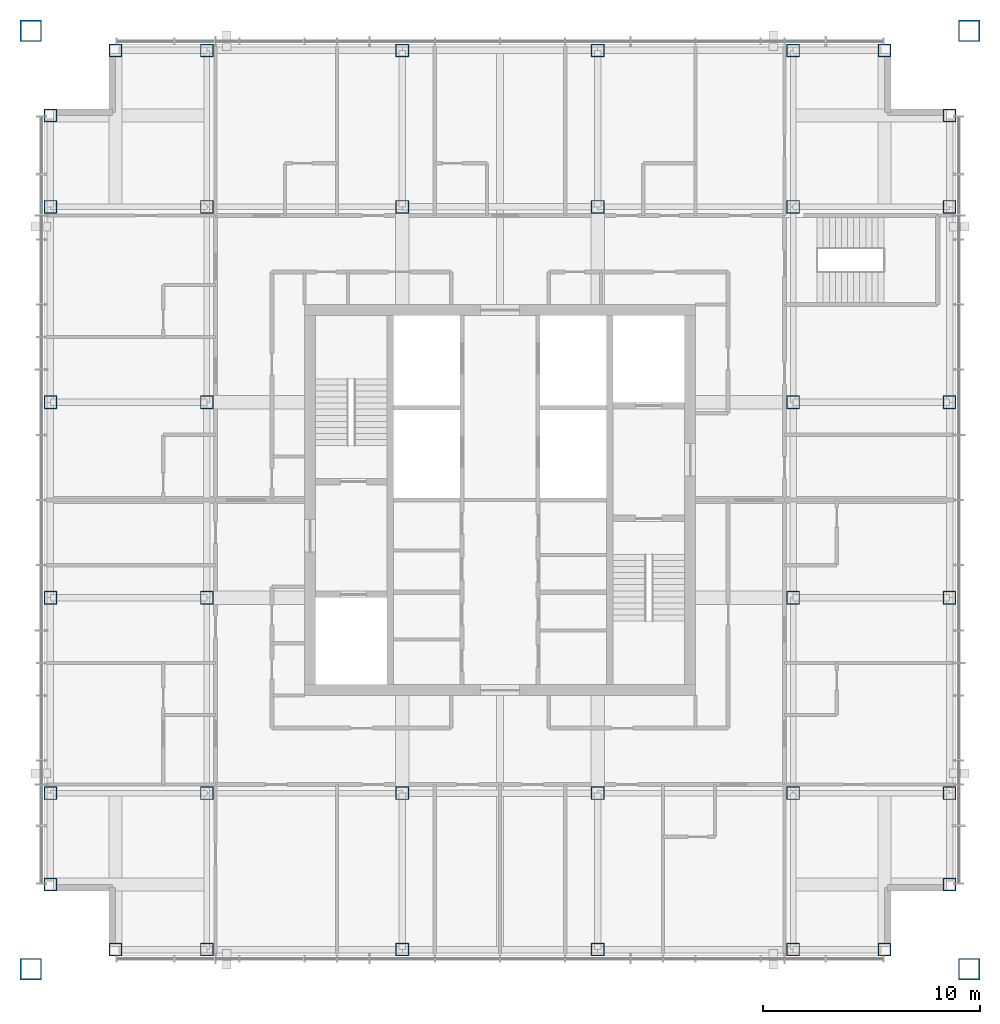
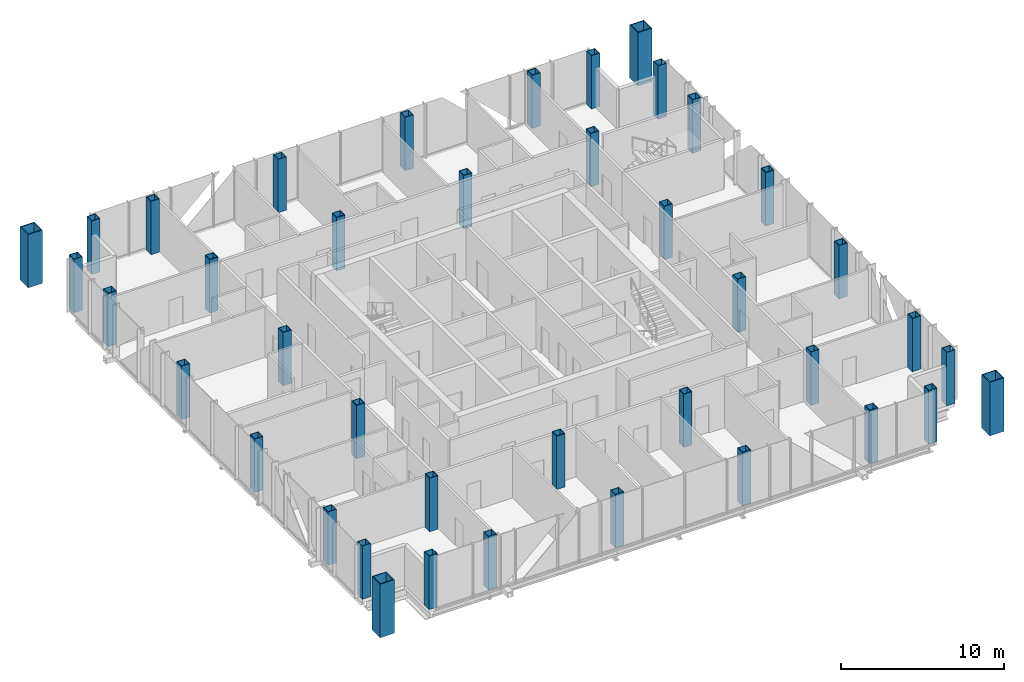
# One storey, part 1 of 14: 40 columns.
"""IFC4 building model written with IfcOpenShell, lengths in metres."""

import ifcopenshell
import ifcopenshell.guid

model = None  # the IFC model being written
_history = None  # IfcOwnerHistory: only IFC2X3 demands one
_inside = {}  # id of a spatial element -> (the spatial element, [elements in it])
_under = {}  # id of a project, library or spatial element -> (it, [spatial elements below it])
_declared = {}  # id of a project -> (the project, [libraries it declares])
_typed = {}  # id of a type object -> (the type object, [elements of that type])
_made_of = {}  # id of a material, layer set ... -> (it, [elements and type objects made of it])


def new_model(schema):
    """Start an empty IFC model of exactly this schema.

    Asked for "IFC4X3", IfcOpenShell would pick the latest addendum, in which some entities
    have other attributes; the version numbers below select the first issue.
    IFC2X3 requires an IfcOwnerHistory on every rooted entity: one is made here for all.
    """
    global model, _history
    if schema == "IFC4X3":
        model = ifcopenshell.file(schema_version=(4, 3, 0, 0))
    else:
        model = ifcopenshell.file(schema=schema)
    _inside.clear()
    _under.clear()
    _declared.clear()
    _typed.clear()
    _made_of.clear()
    _history = None
    if model.schema == "IFC2X3":
        org = make("IfcOrganization", Name="unknown")
        user = make(
            "IfcPersonAndOrganization",
            ThePerson=make("IfcPerson", FamilyName="unknown"),
            TheOrganization=org,
        )
        app = make(
            "IfcApplication",
            ApplicationDeveloper=org,
            Version="unknown",
            ApplicationFullName="unknown",
            ApplicationIdentifier="unknown",
        )
        _history = make(
            "IfcOwnerHistory",
            OwningUser=user,
            OwningApplication=app,
            ChangeAction="ADDED",
            CreationDate=0,
        )
    return model


def make(cls, **values):
    """One entity of the class cls with the attributes given. An attribute that is None is left unset."""
    return model.create_entity(
        cls, **{name: value for name, value in values.items() if value is not None}
    )


def rooted(cls, **values):
    """An entity with a GlobalId (a new one), such as an element, a storey or a relation."""
    return make(cls, GlobalId=ifcopenshell.guid.new(), OwnerHistory=_history, **values)


def si_unit(unit_type, name, prefix=None):
    """IfcSIUnit, for example si_unit("LENGTHUNIT", "METRE", prefix="MILLI")."""
    return make("IfcSIUnit", UnitType=unit_type, Prefix=prefix, Name=name)


def assignment(units):
    """IfcUnitAssignment: the units of a project."""
    return None if units is None else make("IfcUnitAssignment", Units=units)


def point(xyz):
    """IfcCartesianPoint."""
    return None if xyz is None else make("IfcCartesianPoint", Coordinates=xyz)


def direction(xyz):
    """IfcDirection."""
    return None if xyz is None else make("IfcDirection", DirectionRatios=xyz)


def frame(location, z_axis=None, x_axis=None):
    """IfcAxis2Placement3D, a coordinate frame: its origin and axes. An axis left out is left unset."""
    return make(
        "IfcAxis2Placement3D",
        Location=point(location),
        Axis=direction(z_axis),
        RefDirection=direction(x_axis),
    )


def frame_2d(location, x_axis=None):
    """IfcAxis2Placement2D, a coordinate frame in the plane: its origin and x axis."""
    return make(
        "IfcAxis2Placement2D", Location=point(location), RefDirection=direction(x_axis)
    )


def origin():
    """The frame at (0, 0, 0) with its axes left unset."""
    return frame((0.0, 0.0, 0.0))


def origin_2d():
    """The frame at (0, 0) in the plane with its x axis left unset."""
    return frame_2d((0.0, 0.0))


def place(relative_to, where):
    """IfcLocalPlacement: puts the frame where relative to a parent placement (None: the world)."""
    return make(
        "IfcLocalPlacement", PlacementRelTo=relative_to, RelativePlacement=where
    )


def context(
    kind, dimensions, precision=None, world=None, true_north=None, identifier=None
):
    """IfcGeometricRepresentationContext, for example the 3D "Model" context."""
    return make(
        "IfcGeometricRepresentationContext",
        ContextIdentifier=identifier,
        ContextType=kind,
        CoordinateSpaceDimension=dimensions,
        Precision=precision,
        WorldCoordinateSystem=world,
        TrueNorth=true_north,
    )


def subcontext(parent, identifier, kind, view, scale=None):
    """IfcGeometricRepresentationSubContext, for example "Body" below "Model"."""
    return make(
        "IfcGeometricRepresentationSubContext",
        ContextIdentifier=identifier,
        ContextType=kind,
        ParentContext=parent,
        TargetScale=scale,
        TargetView=view,
    )


def project(units=None, contexts=None):
    """IfcProject with its units and contexts."""
    return rooted(
        "IfcProject",
        Name="project",
        RepresentationContexts=contexts,
        UnitsInContext=assignment(units),
    )


def spatial(cls, under=None, at=None, **own):
    """A site, building, storey or space (cls), placed at a placement, below another one or the project."""
    s = rooted(cls, ObjectPlacement=at, **own)
    if under is not None:
        _under.setdefault(under.id(), (under, []))[1].append(s)
    return s


def profile(cls, at=None, kind="AREA", **sizes):
    """A parametric profile (cls). Its sizes go by their IFC names, for example OverallWidth=200.0."""
    return make(cls, ProfileType=kind, Position=at, **sizes)


def hollow_rectangle(**sizes):
    """IfcRectangleHollowProfileDef."""
    return profile("IfcRectangleHollowProfileDef", **sizes)


def extrude(swept, where, along, depth):
    """IfcExtrudedAreaSolid: the profile swept, set in the frame where, extruded along a direction by depth."""
    return make(
        "IfcExtrudedAreaSolid",
        SweptArea=swept,
        Position=where,
        ExtrudedDirection=direction(along),
        Depth=depth,
    )


def shape(context_of_items, identifier, shape_type, items):
    """IfcShapeRepresentation: the items that make up one representation, for example the "Body"."""
    return make(
        "IfcShapeRepresentation",
        ContextOfItems=context_of_items,
        RepresentationIdentifier=identifier,
        RepresentationType=shape_type,
        Items=items,
    )


def material(Name=None, Category=None):
    """IfcMaterial."""
    return make("IfcMaterial", Name=Name, Category=Category)


def material_profile(
    of_material, cross_section, Name=None, Category=None, Priority=None
):
    """IfcMaterialProfile: a cross section and its material."""
    return make(
        "IfcMaterialProfile",
        Name=Name,
        Material=of_material,
        Profile=cross_section,
        Priority=Priority,
        Category=Category,
    )


def profile_set(profiles, Name=None, composite=None):
    """IfcMaterialProfileSet."""
    return make(
        "IfcMaterialProfileSet",
        Name=Name,
        MaterialProfiles=profiles,
        CompositeProfile=composite,
    )


def made_of(thing, what):
    """Note that an element or type object is made of a material, layer set ...; save() writes the relation."""
    if what is not None:
        _made_of.setdefault(what.id(), (what, []))[1].append(thing)
    return thing


def type_object(cls, material=None, **own):
    """A type object (cls), such as IfcWallType, which elements share."""
    return made_of(rooted(cls, **own), material)


def element(
    cls,
    number,
    at=None,
    inside=None,
    cuts=None,
    type_object=None,
    material=None,
    context=None,
    identifier="Body",
    shape_type=None,
    held_by="IfcProductDefinitionShape",
    body=None,
    shapes=None,
    **own,
):
    """One element of the class cls, such as IfcWall. Its Tag is "e" and its number.

    at: its placement. inside: the storey or other place that contains it. cuts: it is an
    opening in that element (IfcRelVoidsElement). A single representation is given by context,
    identifier, shape_type and body (its items); several are given by shapes. held_by: the class
    of the entity that holds the representations. save() writes the other relations.
    """
    e = rooted(cls, Tag="e%d" % number, ObjectPlacement=at, **own)
    if body is not None:
        shapes = [shape(context, identifier, shape_type, body)]
    if shapes is not None:
        e.Representation = make(held_by, Representations=shapes)
    if inside is not None:
        _inside.setdefault(inside.id(), (inside, []))[1].append(e)
    if cuts is not None:
        rooted(
            "IfcRelVoidsElement", RelatingBuildingElement=cuts, RelatedOpeningElement=e
        )
    if type_object is not None:
        _typed.setdefault(type_object.id(), (type_object, []))[1].append(e)
    return made_of(e, material)


def aggregate(whole, parts):
    """IfcRelAggregates: a whole, such as a stair, and the parts it consists of."""
    return rooted("IfcRelAggregates", RelatingObject=whole, RelatedObjects=parts)


def save(model, path):
    """Write the relations noted so far, then the file.

    IfcRelAggregates (storeys below a building ...), IfcRelContainedInSpatialStructure (elements
    in a storey), IfcRelDefinesByType, IfcRelAssociatesMaterial and IfcRelDeclares: one each for
    every whole, place, type object, material and project.
    """
    for whole, parts in _under.values():
        aggregate(whole, parts)
    for where, things in _inside.values():
        rooted(
            "IfcRelContainedInSpatialStructure",
            RelatedElements=things,
            RelatingStructure=where,
        )
    for kind, things in _typed.values():
        rooted("IfcRelDefinesByType", RelatedObjects=things, RelatingType=kind)
    for what, things in _made_of.values():
        rooted("IfcRelAssociatesMaterial", RelatedObjects=things, RelatingMaterial=what)
    for by, libraries in _declared.values():
        rooted("IfcRelDeclares", RelatingContext=by, RelatedDefinitions=libraries)
    model.write(path)


model = new_model("IFC4")

# Units and contexts
model_context = context("Model", 3, precision=1e-05, world=origin(), true_north=direction((0.0, 1.0)))
body_context = subcontext(model_context, "Body", "Model", "MODEL_VIEW")
ifc_project = project(units=[si_unit("LENGTHUNIT", "METRE"), si_unit("AREAUNIT", "SQUARE_METRE"), si_unit("VOLUMEUNIT", "CUBIC_METRE"), si_unit("PLANEANGLEUNIT", "RADIAN"), si_unit("MASSUNIT", "GRAM", prefix="KILO")], contexts=[model_context])

# Site, building, storey
site_placement = place(None, origin())
site = spatial("IfcSite", under=ifc_project, at=site_placement, CompositionType="ELEMENT")
building_placement = place(site_placement, origin())
building = spatial("IfcBuilding", under=site, at=building_placement, Name="Malebo Sky Hospital", CompositionType="ELEMENT")
storey_placement = place(building_placement, frame((0.0, 0.0, 258.0)))
storey = spatial("IfcBuildingStorey", under=building, at=storey_placement, Name="L62", CompositionType="ELEMENT", Elevation=258.0)

# Columns
ifc_material = material(Name="Steel S460", Category="steel")
ifc_material_profile_1 = material_profile(ifc_material, hollow_rectangle(XDim=0.60009765625, YDim=0.60009765625, WallThickness=0.0400390625, at=origin_2d()), Name="BOX 600x600x40")
ifc_profile_set_1 = profile_set([ifc_material_profile_1], Name="Steel S460")
column_type_1 = type_object("IfcColumnType", Name="INNER COLUMN BOX 600x600x40", PredefinedType="COLUMN", material=ifc_profile_set_1)
for number, where, z_axis, x_axis, name in (
    (1, (46.5, 48.5, 0.0), (0.0, 0.0, 1.0), (1.0, 0.0, 0.0), "Column IC4 L62"),
    (2, (73.5, 48.5, 0.0), (0.0, 0.0, 1.0), (1.0, 0.0, 0.0), "Column IC4 L62"),
    (3, (73.5, 75.5, 0.0), (0.0, 0.0, 1.0), (1.0, 0.0, 0.0), "Column IC4 L62"),
    (4, (46.5, 75.5, 0.0), (0.0, 0.0, 1.0), (1.0, 0.0, 0.0), "Column IC4 L62"),
    (5, (55.5, 48.5, 0.0), (0.0, 0.0, 1.0), (1.0, 0.0, 0.0), "Column IC4 L62"),
    (6, (64.5, 48.5, 0.0), (0.0, 0.0, 1.0), (1.0, 0.0, 0.0), "Column IC4 L62"),
    (7, (55.5, 75.5, 0.0), (0.0, 0.0, 1.0), (1.0, 0.0, 0.0), "Column IC4 L62"),
    (8, (64.5, 75.5, 0.0), (0.0, 0.0, 1.0), (1.0, 0.0, 0.0), "Column IC4 L62"),
    (9, (46.5, 57.5, 0.0), (0.0, 0.0, 1.0), (1.0, 0.0, 0.0), "Column IC4 L62"),
    (10, (46.5, 66.5, 0.0), (0.0, 0.0, 1.0), (1.0, 0.0, 0.0), "Column IC4 L62"),
    (11, (73.5, 57.5, 0.0), (0.0, 0.0, 1.0), (1.0, 0.0, 0.0), "Column IC4 L62"),
    (12, (73.5, 66.5, 0.0), (0.0, 0.0, 1.0), (1.0, 0.0, 0.0), "Column IC4 L62"),
):
    element("IfcColumn", number, at=place(storey_placement, frame(where, z_axis=z_axis, x_axis=x_axis)), inside=storey, type_object=column_type_1, Name=name, PredefinedType="COLUMN", context=body_context, shape_type="SweptSolid", body=[
        extrude(hollow_rectangle(XDim=0.60009765625, YDim=0.60009765625, WallThickness=0.0400390625, at=origin_2d()), origin(), (0.0, 0.0, 1.0), 4.0),
    ])
ifc_material_profile_2 = material_profile(ifc_material, hollow_rectangle(XDim=1.0, YDim=1.0, WallThickness=0.06005859375, at=origin_2d()), Name="BOX 1000x1000x60")
ifc_profile_set_2 = profile_set([ifc_material_profile_2], Name="Steel S460")
column_type_2 = type_object("IfcColumnType", Name="MEGA COLUMN BOX 1000x1000x60", PredefinedType="COLUMN", material=ifc_profile_set_2)
for number, where, z_axis, x_axis, name in (
    (13, (38.39990234375, 40.39990234375, 0.0), (0.0, 0.0, 1.0), (1.0, 0.0, 0.0), "Mega column SW L62"),
    (14, (81.60009765625, 40.39990234375, 0.0), (0.0, 0.0, 1.0), (1.0, 0.0, 0.0), "Mega column SE L62"),
    (15, (81.60009765625, 83.60009765625, 0.0), (0.0, 0.0, 1.0), (1.0, 0.0, 0.0), "Mega column NE L62"),
    (16, (38.39990234375, 83.60009765625, 0.0), (0.0, 0.0, 1.0), (1.0, 0.0, 0.0), "Mega column NW L62"),
):
    element("IfcColumn", number, at=place(storey_placement, frame(where, z_axis=z_axis, x_axis=x_axis)), inside=storey, type_object=column_type_2, Name=name, PredefinedType="COLUMN", context=body_context, shape_type="SweptSolid", body=[
        extrude(hollow_rectangle(XDim=1.0, YDim=1.0, WallThickness=0.06005859375, at=origin_2d()), origin(), (0.0, 0.0, 1.0), 4.0),
    ])
ifc_material_profile_3 = material_profile(ifc_material, hollow_rectangle(XDim=0.60009765625, YDim=0.60009765625, WallThickness=0.0400390625, at=origin_2d()), Name="BOX 600x600x40")
ifc_profile_set_3 = profile_set([ifc_material_profile_3], Name="Steel S460")
column_type_3 = type_object("IfcColumnType", Name="PERIMETER COLUMN BOX 600x600x40", PredefinedType="COLUMN", material=ifc_profile_set_3)
for number, where, z_axis, x_axis, name in (
    (17, (42.300048828125, 41.300048828125, 0.0), (0.0, 0.0, 1.0), (1.0, 0.0, 0.0), "Column PC4 L62"),
    (18, (42.300048828125, 82.699951171875, 0.0), (0.0, 0.0, 1.0), (1.0, 0.0, 0.0), "Column PC4 L62"),
    (19, (39.300048828125, 44.300048828125, 0.0), (0.0, 0.0, 1.0), (1.0, 0.0, 0.0), "Column PC4 L62"),
    (20, (80.699951171875, 44.300048828125, 0.0), (0.0, 0.0, 1.0), (1.0, 0.0, 0.0), "Column PC4 L62"),
    (21, (46.5, 41.300048828125, 0.0), (0.0, 0.0, 1.0), (1.0, 0.0, 0.0), "Column PC4 L62"),
    (22, (46.5, 82.699951171875, 0.0), (0.0, 0.0, 1.0), (1.0, 0.0, 0.0), "Column PC4 L62"),
    (23, (39.300048828125, 48.5, 0.0), (0.0, 0.0, 1.0), (1.0, 0.0, 0.0), "Column PC4 L62"),
    (24, (80.699951171875, 48.5, 0.0), (0.0, 0.0, 1.0), (1.0, 0.0, 0.0), "Column PC4 L62"),
    (25, (55.5, 41.300048828125, 0.0), (0.0, 0.0, 1.0), (1.0, 0.0, 0.0), "Column PC4 L62"),
    (26, (55.5, 82.699951171875, 0.0), (0.0, 0.0, 1.0), (1.0, 0.0, 0.0), "Column PC4 L62"),
    (27, (39.300048828125, 57.5, 0.0), (0.0, 0.0, 1.0), (1.0, 0.0, 0.0), "Column PC4 L62"),
    (28, (80.699951171875, 57.5, 0.0), (0.0, 0.0, 1.0), (1.0, 0.0, 0.0), "Column PC4 L62"),
    (29, (64.5, 41.300048828125, 0.0), (0.0, 0.0, 1.0), (1.0, 0.0, 0.0), "Column PC4 L62"),
    (30, (64.5, 82.699951171875, 0.0), (0.0, 0.0, 1.0), (1.0, 0.0, 0.0), "Column PC4 L62"),
    (31, (39.300048828125, 66.5, 0.0), (0.0, 0.0, 1.0), (1.0, 0.0, 0.0), "Column PC4 L62"),
    (32, (80.699951171875, 66.5, 0.0), (0.0, 0.0, 1.0), (1.0, 0.0, 0.0), "Column PC4 L62"),
    (33, (73.5, 41.300048828125, 0.0), (0.0, 0.0, 1.0), (1.0, 0.0, 0.0), "Column PC4 L62"),
    (34, (73.5, 82.699951171875, 0.0), (0.0, 0.0, 1.0), (1.0, 0.0, 0.0), "Column PC4 L62"),
    (35, (39.300048828125, 75.5, 0.0), (0.0, 0.0, 1.0), (1.0, 0.0, 0.0), "Column PC4 L62"),
    (36, (80.699951171875, 75.5, 0.0), (0.0, 0.0, 1.0), (1.0, 0.0, 0.0), "Column PC4 L62"),
    (37, (77.699951171875, 41.300048828125, 0.0), (0.0, 0.0, 1.0), (1.0, 0.0, 0.0), "Column PC4 L62"),
    (38, (77.699951171875, 82.699951171875, 0.0), (0.0, 0.0, 1.0), (1.0, 0.0, 0.0), "Column PC4 L62"),
    (39, (39.300048828125, 79.699951171875, 0.0), (0.0, 0.0, 1.0), (1.0, 0.0, 0.0), "Column PC4 L62"),
    (40, (80.699951171875, 79.699951171875, 0.0), (0.0, 0.0, 1.0), (1.0, 0.0, 0.0), "Column PC4 L62"),
):
    element("IfcColumn", number, at=place(storey_placement, frame(where, z_axis=z_axis, x_axis=x_axis)), inside=storey, type_object=column_type_3, Name=name, PredefinedType="COLUMN", context=body_context, shape_type="SweptSolid", body=[
        extrude(hollow_rectangle(XDim=0.60009765625, YDim=0.60009765625, WallThickness=0.0400390625, at=origin_2d()), origin(), (0.0, 0.0, 1.0), 4.0),
    ])

save(model, "model.ifc")
